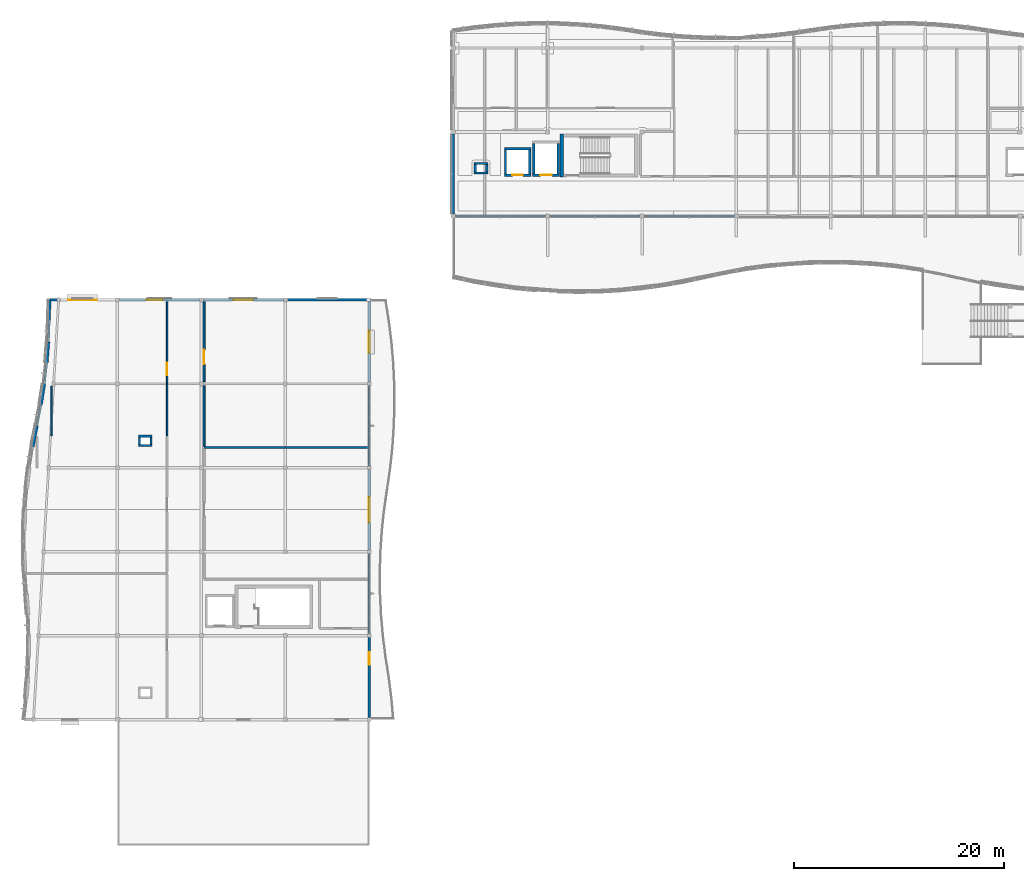
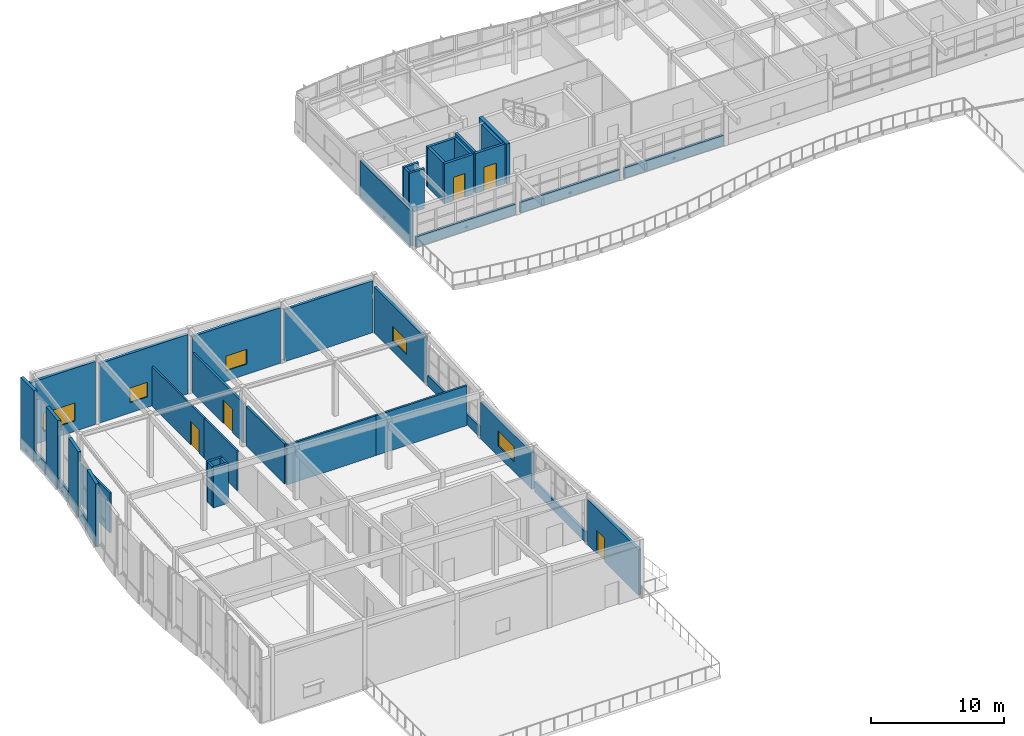
# One storey, part 29 of 52: 43 walls, 5 doors, 5 windows, 10 openings.
"""IFC4 building model written with IfcOpenShell, lengths in metres."""

from ifc_helpers import new_model, si_unit, direction, frame, frame_2d, origin, place, context, subcontext, project, spatial, rectangle, extrude, material, layer, layer_set, type_object, element, fill, save


model = new_model("IFC4")

# Units and contexts
model_context = context("Model", 3, precision=1e-05, world=origin(), true_north=direction((0.0, 1.0)))
body_context = subcontext(model_context, "Body", "Model", "MODEL_VIEW")
ifc_project = project(units=[si_unit("LENGTHUNIT", "METRE"), si_unit("AREAUNIT", "SQUARE_METRE"), si_unit("VOLUMEUNIT", "CUBIC_METRE"), si_unit("PLANEANGLEUNIT", "RADIAN"), si_unit("MASSUNIT", "GRAM", prefix="KILO")], contexts=[model_context])

# Site, building, storey
site_placement = place(None, origin())
site = spatial("IfcSite", under=ifc_project, at=site_placement, CompositionType="ELEMENT")
building_placement = place(site_placement, origin())
building = spatial("IfcBuilding", under=site, at=building_placement, Name="Tonlespit Floodbar School", CompositionType="ELEMENT")
storey_placement = place(building_placement, frame((0.0, 0.0, 12.300048828125)))
storey = spatial("IfcBuildingStorey", under=building, at=storey_placement, Name="L03", CompositionType="ELEMENT", Elevation=12.300048828125)

# Walls
ifc_material_1 = material(Name="Concrete C40/50", Category="concrete")
ifc_layer_1 = layer(ifc_material_1, 0.300048828125)
ifc_layer_set_1 = layer_set([ifc_layer_1], Name="Concrete C40/50")
wall_type_1 = type_object("IfcWallType", Name="CoreWall_RC_300", PredefinedType="SHEAR", material=ifc_layer_set_1)
wall_1_placement = place(storey_placement, frame((54.35009765625, 107.699951171875, 0.0), z_axis=(0.0, 0.0, 1.0), x_axis=(0.0, 1.0, 0.0)))
element("IfcWall", 1, at=wall_1_placement, inside=storey, type_object=wall_type_1, Name="L03 core C1 shear wall NEAR", PredefinedType="SHEAR", context=body_context, shape_type="SweptSolid", body=[
    extrude(rectangle(XDim=4.10009765625, YDim=0.300048828125, at=frame_2d((2.050048828125, 0.0))), origin(), (0.0, 0.0, 1.0), 3.64990234375),
])
ifc_material_2 = material(Name="Precast concrete C40/50", Category="concrete")
ifc_layer_2 = layer(ifc_material_2, 0.239990234375)
ifc_layer_set_2 = layer_set([ifc_layer_2], Name="Precast concrete C40/50")
wall_type_2 = type_object("IfcWallType", Name="ExtWall_Rainscreen_240", PredefinedType="SOLIDWALL", material=ifc_layer_set_2)
wall_2_placement = place(storey_placement, frame((44.0, 104.199951171875, 0.0), z_axis=(0.0, 0.0, 1.0), x_axis=(0.0, 1.0, 0.0)))
element("IfcWall", 2, at=wall_2_placement, inside=storey, type_object=wall_type_2, Name="L03 external wall 0186", PredefinedType="SOLIDWALL", context=body_context, shape_type="SweptSolid", body=[
    extrude(rectangle(XDim=7.60009765625, YDim=0.239990234375, at=frame_2d((3.800048828125, 0.0))), origin(), (0.0, 0.0, 1.0), 3.2900390625),
])

# Wall, opening, window
wall_3_placement = place(storey_placement, frame((5.514892578125, 96.0, 0.0), z_axis=(0.0, 0.0, 1.0), x_axis=(1.0, 0.0, 0.0)))
wall_3 = element("IfcWall", 3, at=wall_3_placement, inside=storey, type_object=wall_type_2, Name="L03 external wall 0441", PredefinedType="SOLIDWALL", context=body_context, shape_type="SweptSolid", body=[
    extrude(rectangle(XDim=6.30517578125, YDim=0.239990234375, at=frame_2d((3.152587890625, 0.0))), origin(), (0.0, 0.0, 1.0), 5.78515625),
])
opening_1_placement = place(wall_3_placement, frame((1.777587890625, 0.0, 0.949951171875)))
opening_1 = element("IfcOpeningElement", 4, at=opening_1_placement, cuts=wall_3, Name="Opening W-L03-048", PredefinedType="OPENING", context=body_context, shape_type="SweptSolid", body=[
    extrude(rectangle(XDim=2.75, YDim=1.64990234375, at=frame_2d((1.375, 0.824951171875))), frame((0.0, 0.1298828125, 0.0), z_axis=(0.0, -1.0, 0.0), x_axis=(1.0, 0.0, 0.0)), (0.0, 0.0, 1.0), 0.260009765625),
])
ifc_material_3 = material(Name="Tempered Double Glazing", Category="glass")
window_type_1 = type_object("IfcWindowType", Name="Win_Mod_2750x1650", PartitioningType="DOUBLE_PANEL_VERTICAL", PredefinedType="WINDOW", material=ifc_material_3)
window_1_placement = place(opening_1_placement, origin())
window_1 = element("IfcWindow", 5, at=window_1_placement, inside=storey, type_object=window_type_1, Name="L03 window W-L03-048", OverallHeight=1.64990234375, OverallWidth=2.75, PartitioningType="DOUBLE_PANEL_VERTICAL", PredefinedType="WINDOW", context=body_context, shape_type="SweptSolid", body=[
    extrude(rectangle(XDim=2.75, YDim=1.64990234375, at=frame_2d((1.375, 0.824951171875))), frame((0.0, 0.030029296875, 0.0), z_axis=(0.0, -1.0, 0.0), x_axis=(1.0, 0.0, 0.0)), (0.0, 0.0, 1.0), 0.06005859375),
])
fill(opening_1, window_1)

wall_4_placement = place(storey_placement, frame((12.179931640625, 96.0, 0.0), z_axis=(0.0, 0.0, 1.0), x_axis=(1.0, 0.0, 0.0)))
wall_4 = element("IfcWall", 6, at=wall_4_placement, inside=storey, type_object=wall_type_2, Name="L03 external wall 0442", PredefinedType="SOLIDWALL", context=body_context, shape_type="SweptSolid", body=[
    extrude(rectangle(XDim=7.64013671875, YDim=0.239990234375, at=frame_2d((3.820068359375, 0.0))), origin(), (0.0, 0.0, 1.0), 5.44384765625),
])
opening_2_placement = place(wall_4_placement, frame((2.6201171875, 0.0, 0.949951171875)))
opening_2 = element("IfcOpeningElement", 7, at=opening_2_placement, cuts=wall_4, Name="Opening W-L03-049", PredefinedType="OPENING", context=body_context, shape_type="SweptSolid", body=[
    extrude(rectangle(XDim=1.5, YDim=1.35009765625, at=frame_2d((0.75, 0.675048828125))), frame((0.0, 0.1298828125, 0.0), z_axis=(0.0, -1.0, 0.0), x_axis=(1.0, 0.0, 0.0)), (0.0, 0.0, 1.0), 0.260009765625),
])
window_type_2 = type_object("IfcWindowType", Name="Win_Mod_1500x1350", PartitioningType="SINGLE_PANEL", PredefinedType="WINDOW", material=ifc_material_3)
window_2_placement = place(opening_2_placement, origin())
window_2 = element("IfcWindow", 8, at=window_2_placement, inside=storey, type_object=window_type_2, Name="L03 window W-L03-049", OverallHeight=1.35009765625, OverallWidth=1.5, PartitioningType="SINGLE_PANEL", PredefinedType="WINDOW", context=body_context, shape_type="SweptSolid", body=[
    extrude(rectangle(XDim=1.5, YDim=1.35009765625, at=frame_2d((0.75, 0.675048828125))), frame((0.0, 0.030029296875, 0.0), z_axis=(0.0, -1.0, 0.0), x_axis=(1.0, 0.0, 0.0)), (0.0, 0.0, 1.0), 0.06005859375),
])
fill(opening_2, window_2)

wall_5_placement = place(storey_placement, frame((20.179931640625, 96.0, 0.0), z_axis=(0.0, 0.0, 1.0), x_axis=(1.0, 0.0, 0.0)))
wall_5 = element("IfcWall", 9, at=wall_5_placement, inside=storey, type_object=wall_type_2, Name="L03 external wall 0443", PredefinedType="SOLIDWALL", context=body_context, shape_type="SweptSolid", body=[
    extrude(rectangle(XDim=7.64013671875, YDim=0.239990234375, at=frame_2d((3.820068359375, 0.0))), origin(), (0.0, 0.0, 1.0), 5.1025390625),
])
opening_3_placement = place(wall_5_placement, frame((2.919921875, 0.0, 0.949951171875)))
opening_3 = element("IfcOpeningElement", 10, at=opening_3_placement, cuts=wall_5, Name="Opening W-L03-050", PredefinedType="OPENING", context=body_context, shape_type="SweptSolid", body=[
    extrude(rectangle(XDim=1.800048828125, YDim=1.35009765625, at=frame_2d((0.89990234375, 0.675048828125))), frame((0.0, 0.1298828125, 0.0), z_axis=(0.0, -1.0, 0.0), x_axis=(1.0, 0.0, 0.0)), (0.0, 0.0, 1.0), 0.260009765625),
])
window_type_3 = type_object("IfcWindowType", Name="Win_Mod_1800x1350", PartitioningType="DOUBLE_PANEL_VERTICAL", PredefinedType="WINDOW", material=ifc_material_3)
window_3_placement = place(opening_3_placement, origin())
window_3 = element("IfcWindow", 11, at=window_3_placement, inside=storey, type_object=window_type_3, Name="L03 window W-L03-050", OverallHeight=1.35009765625, OverallWidth=1.800048828125, PartitioningType="DOUBLE_PANEL_VERTICAL", PredefinedType="WINDOW", context=body_context, shape_type="SweptSolid", body=[
    extrude(rectangle(XDim=1.800048828125, YDim=1.35009765625, at=frame_2d((0.89990234375, 0.675048828125))), frame((0.0, 0.030029296875, 0.0), z_axis=(0.0, -1.0, 0.0), x_axis=(1.0, 0.0, 0.0)), (0.0, 0.0, 1.0), 0.06005859375),
])
fill(opening_3, window_3)

# Wall
wall_6_placement = place(storey_placement, frame((28.179931640625, 96.0, 0.0), z_axis=(0.0, 0.0, 1.0), x_axis=(1.0, 0.0, 0.0)))
element("IfcWall", 12, at=wall_6_placement, inside=storey, type_object=wall_type_2, Name="L03 external wall 0444", PredefinedType="SOLIDWALL", context=body_context, shape_type="SweptSolid", body=[
    extrude(rectangle(XDim=7.64013671875, YDim=0.239990234375, at=frame_2d((3.820068359375, 0.0))), origin(), (0.0, 0.0, 1.0), 4.761474609375),
])

# Wall, opening, window
wall_7_placement = place(storey_placement, frame((36.0, 95.820068359375, 0.0), z_axis=(0.0, 0.0, 1.0), x_axis=(0.0, -1.0, 0.0)))
wall_7 = element("IfcWall", 13, at=wall_7_placement, inside=storey, type_object=wall_type_2, Name="L03 external wall 0445", PredefinedType="SOLIDWALL", context=body_context, shape_type="SweptSolid", body=[
    extrude(rectangle(XDim=7.64013671875, YDim=0.239990234375, at=frame_2d((3.820068359375, 0.0))), origin(), (0.0, 0.0, 1.0), 4.217041015625),
])
opening_4_placement = place(wall_7_placement, frame((2.77001953125, 0.0, 0.949951171875)))
opening_4 = element("IfcOpeningElement", 14, at=opening_4_placement, cuts=wall_7, Name="Opening W-L03-051", PredefinedType="OPENING", context=body_context, shape_type="SweptSolid", body=[
    extrude(rectangle(XDim=2.10009765625, YDim=1.35009765625, at=frame_2d((1.050048828125, 0.675048828125))), frame((0.0, 0.1298828125, 0.0), z_axis=(0.0, -1.0, 0.0), x_axis=(1.0, 0.0, 0.0)), (0.0, 0.0, 1.0), 0.260009765625),
])
window_type_4 = type_object("IfcWindowType", Name="Win_Mod_2100x1350", PartitioningType="DOUBLE_PANEL_VERTICAL", PredefinedType="WINDOW", material=ifc_material_3)
window_4_placement = place(opening_4_placement, origin())
window_4 = element("IfcWindow", 15, at=window_4_placement, inside=storey, type_object=window_type_4, Name="L03 window W-L03-051", OverallHeight=1.35009765625, OverallWidth=2.10009765625, PartitioningType="DOUBLE_PANEL_VERTICAL", PredefinedType="WINDOW", context=body_context, shape_type="SweptSolid", body=[
    extrude(rectangle(XDim=2.10009765625, YDim=1.35009765625, at=frame_2d((1.050048828125, 0.675048828125))), frame((0.0, 0.030029296875, 0.0), z_axis=(0.0, -1.0, 0.0), x_axis=(1.0, 0.0, 0.0)), (0.0, 0.0, 1.0), 0.06005859375),
])
fill(opening_4, window_4)

wall_8_placement = place(storey_placement, frame((36.0, 79.820068359375, 0.0), z_axis=(0.0, 0.0, 1.0), x_axis=(0.0, -1.0, 0.0)))
wall_8 = element("IfcWall", 16, at=wall_8_placement, inside=storey, type_object=wall_type_2, Name="L03 external wall 0447", PredefinedType="SOLIDWALL", context=body_context, shape_type="SweptSolid", body=[
    extrude(rectangle(XDim=7.64013671875, YDim=0.239990234375, at=frame_2d((3.820068359375, 0.0))), origin(), (0.0, 0.0, 1.0), 3.38134765625),
])
opening_5_placement = place(wall_8_placement, frame((2.6201171875, 0.0, 0.949951171875)))
opening_5 = element("IfcOpeningElement", 17, at=opening_5_placement, cuts=wall_8, Name="Opening W-L03-052", PredefinedType="OPENING", context=body_context, shape_type="SweptSolid", body=[
    extrude(rectangle(XDim=2.39990234375, YDim=1.35009765625, at=frame_2d((1.199951171875, 0.675048828125))), frame((0.0, 0.1298828125, 0.0), z_axis=(0.0, -1.0, 0.0), x_axis=(1.0, 0.0, 0.0)), (0.0, 0.0, 1.0), 0.260009765625),
])
window_type_5 = type_object("IfcWindowType", Name="Win_Mod_2400x1350", PartitioningType="DOUBLE_PANEL_VERTICAL", PredefinedType="WINDOW", material=ifc_material_3)
window_5_placement = place(opening_5_placement, origin())
window_5 = element("IfcWindow", 18, at=window_5_placement, inside=storey, type_object=window_type_5, Name="L03 window W-L03-052", OverallHeight=1.35009765625, OverallWidth=2.39990234375, PartitioningType="DOUBLE_PANEL_VERTICAL", PredefinedType="WINDOW", context=body_context, shape_type="SweptSolid", body=[
    extrude(rectangle(XDim=2.39990234375, YDim=1.35009765625, at=frame_2d((1.199951171875, 0.675048828125))), frame((0.0, 0.030029296875, 0.0), z_axis=(0.0, -1.0, 0.0), x_axis=(1.0, 0.0, 0.0)), (0.0, 0.0, 1.0), 0.06005859375),
])
fill(opening_5, window_5)

# Wall, opening, door
wall_9_placement = place(storey_placement, frame((36.0, 63.820068359375, 0.0), z_axis=(0.0, 0.0, 1.0), x_axis=(0.0, -1.0, 0.0)))
wall_9 = element("IfcWall", 19, at=wall_9_placement, inside=storey, type_object=wall_type_2, Name="L03 external wall 0449", PredefinedType="SOLIDWALL", context=body_context, shape_type="SweptSolid", body=[
    extrude(rectangle(XDim=7.64013671875, YDim=0.239990234375, at=frame_2d((3.820068359375, 0.0))), origin(), (0.0, 0.0, 1.0), 4.187255859375),
])
opening_6_placement = place(wall_9_placement, frame((1.39990234375, 0.0, 0.0)))
opening_6 = element("IfcOpeningElement", 20, at=opening_6_placement, cuts=wall_9, Name="Opening D-TR-019", PredefinedType="OPENING", context=body_context, shape_type="SweptSolid", body=[
    extrude(rectangle(XDim=1.199951171875, YDim=2.14990234375, at=frame_2d((0.60009765625, 1.074951171875))), frame((0.0, 0.1298828125, 0.0), z_axis=(0.0, -1.0, 0.0), x_axis=(1.0, 0.0, 0.0)), (0.0, 0.0, 1.0), 0.260009765625),
])
ifc_material_4 = material(Name="Anodised Aluminium", Category="aluminium")
door_type_1 = type_object("IfcDoorType", Name="ExtDoor_Terrace_1200x2150", OperationType="NOTDEFINED", PredefinedType="DOOR", material=ifc_material_4)
door_1_placement = place(opening_6_placement, origin())
door_1 = element("IfcDoor", 21, at=door_1_placement, inside=storey, type_object=door_type_1, Name="L03 exterior door D-TR-019", OperationType="SINGLE_SWING_LEFT", OverallHeight=2.14990234375, OverallWidth=1.199951171875, PredefinedType="DOOR", context=body_context, shape_type="SweptSolid", body=[
    extrude(rectangle(XDim=1.199951171875, YDim=2.14990234375, at=frame_2d((0.60009765625, 1.074951171875))), frame((0.0, 0.02490234375, 0.0), z_axis=(0.0, -1.0, 0.0), x_axis=(1.0, 0.0, 0.0)), (0.0, 0.0, 1.0), 0.050048828125),
])
fill(opening_6, door_1)

# Walls
ifc_layer_3 = layer(ifc_material_2, 0.260009765625)
ifc_layer_set_3 = layer_set([ifc_layer_3], Name="Precast concrete C40/50")
wall_type_3 = type_object("IfcWallType", Name="ExtWall_Rainscreen_260", PredefinedType="SOLIDWALL", material=ifc_layer_set_3)
wall_10_placement = place(storey_placement, frame((3.938232421875, 82.0, 0.0), z_axis=(0.0, 0.0, 1.0), x_axis=(0.192267434085, 0.981342566992, 0.0)))
element("IfcWall", 22, at=wall_10_placement, inside=storey, type_object=wall_type_3, Name="L03 external wall 0434", PredefinedType="SOLIDWALL", context=body_context, shape_type="SweptSolid", body=[
    extrude(rectangle(XDim=2.0380859375, YDim=0.260009765625, at=frame_2d((1.01904296875, 0.0))), origin(), (0.0, 0.0, 1.0), 5.750244140625),
])
wall_11_placement = place(storey_placement, frame((4.7216796875, 86.0, 0.0), z_axis=(0.0, 0.0, 1.0), x_axis=(0.15473004848, 0.987956786554, 0.0)))
element("IfcWall", 23, at=wall_11_placement, inside=storey, type_object=wall_type_3, Name="L03 external wall 0436", PredefinedType="SOLIDWALL", context=body_context, shape_type="SweptSolid", body=[
    extrude(rectangle(XDim=2.0244140625, YDim=0.260009765625, at=frame_2d((1.01220703125, 0.0))), origin(), (0.0, 0.0, 1.0), 5.991455078125),
])
wall_12_placement = place(storey_placement, frame((5.2705078125, 90.0, 0.0), z_axis=(0.0, 0.0, 1.0), x_axis=(0.079097106354, 0.996866915775, 0.0)))
element("IfcWall", 24, at=wall_12_placement, inside=storey, type_object=wall_type_3, Name="L03 external wall 0438", PredefinedType="SOLIDWALL", context=body_context, shape_type="SweptSolid", body=[
    extrude(rectangle(XDim=2.00634765625, YDim=0.260009765625, at=frame_2d((1.003173828125, 0.0))), origin(), (0.0, 0.0, 1.0), 6.242431640625),
])
wall_13_placement = place(storey_placement, frame((5.510498046875, 94.0, 0.0), z_axis=(0.0, 0.0, 1.0), x_axis=(0.002197260321, 0.999997586021, 0.0)))
element("IfcWall", 25, at=wall_13_placement, inside=storey, type_object=wall_type_3, Name="L03 external wall 0440", PredefinedType="SOLIDWALL", context=body_context, shape_type="SweptSolid", body=[
    extrude(rectangle(XDim=2.0, YDim=0.260009765625, at=frame_2d((1.0, 0.0))), origin(), (0.0, 0.0, 1.0), 6.5068359375),
])
ifc_material_5 = material(Name="White Architectural Precast concrete C40/50", Category="concrete")
ifc_layer_4 = layer(ifc_material_5, 0.18505859375)
ifc_layer_set_4 = layer_set([ifc_layer_4], Name="White Architectural Precast concrete C40/50")
wall_type_4 = type_object("IfcWallType", Name="ExtWall_Spandrel_White_185", PredefinedType="SOLIDWALL", material=ifc_layer_set_4)
for number, where, z_axis, x_axis, name in (
    (26, (36.0, 87.820068359375, 0.0), (0.0, 0.0, 1.0), (0.0, -1.0, 0.0), "L03 spandrel wall 0446"),
    (27, (36.0, 71.820068359375, 0.0), (0.0, 0.0, 1.0), (0.0, -1.0, 0.0), "L03 spandrel wall 0448"),
):
    element("IfcWall", number, at=place(storey_placement, frame(where, z_axis=z_axis, x_axis=x_axis)), inside=storey, type_object=wall_type_4, Name=name, PredefinedType="SOLIDWALL", context=body_context, shape_type="SweptSolid", body=[
        extrude(rectangle(XDim=7.64013671875, YDim=0.18505859375, at=frame_2d((3.820068359375, 0.0))), origin(), (0.0, 0.0, 1.0), 0.949951171875),
    ])
ifc_layer_5 = layer(ifc_material_5, 0.199951171875)
ifc_layer_set_5 = layer_set([ifc_layer_5], Name="White Architectural Precast concrete C40/50")
wall_type_5 = type_object("IfcWallType", Name="ExtWall_Spandrel_White_200", PredefinedType="SOLIDWALL", material=ifc_layer_set_5)
for number, where, z_axis, x_axis, name in (
    (28, (70.800048828125, 104.0, 0.0), (0.0, 0.0, 1.0), (-1.0, 0.0, 0.0), "L03 spandrel wall 0183"),
    (29, (61.800048828125, 104.0, 0.0), (0.0, 0.0, 1.0), (-1.0, 0.0, 0.0), "L03 spandrel wall 0184"),
    (30, (52.800048828125, 104.0, 0.0), (0.0, 0.0, 1.0), (-1.0, 0.0, 0.0), "L03 spandrel wall 0185"),
):
    element("IfcWall", number, at=place(storey_placement, frame(where, z_axis=z_axis, x_axis=x_axis)), inside=storey, type_object=wall_type_5, Name=name, PredefinedType="SOLIDWALL", context=body_context, shape_type="SweptSolid", body=[
        extrude(rectangle(XDim=8.60009765625, YDim=0.199951171875, at=frame_2d((4.300048828125, 0.0))), origin(), (0.0, 0.0, 1.0), 0.949951171875),
    ])
wall_14_placement = place(storey_placement, frame((4.330078125, 84.0, 0.0), z_axis=(0.0, 0.0, 1.0), x_axis=(0.192152065658, 0.981365163262, 0.0)))
element("IfcWall", 31, at=wall_14_placement, inside=storey, type_object=wall_type_5, Name="L03 spandrel wall 0435", PredefinedType="SOLIDWALL", context=body_context, shape_type="SweptSolid", body=[
    extrude(rectangle(XDim=2.0380859375, YDim=0.199951171875, at=frame_2d((1.01904296875, 0.0))), origin(), (0.0, 0.0, 1.0), 0.949951171875),
])
wall_15_placement = place(storey_placement, frame((5.034912109375, 88.0, 0.0), z_axis=(0.0, 0.0, 1.0), x_axis=(0.116988959085, 0.99313321536, 0.0)))
element("IfcWall", 32, at=wall_15_placement, inside=storey, type_object=wall_type_5, Name="L03 spandrel wall 0437", PredefinedType="SOLIDWALL", context=body_context, shape_type="SweptSolid", body=[
    extrude(rectangle(XDim=2.013916015625, YDim=0.199951171875, at=frame_2d((1.0068359375, 0.0))), origin(), (0.0, 0.0, 1.0), 0.949951171875),
])
wall_16_placement = place(storey_placement, frame((5.42919921875, 92.0, 0.0), z_axis=(0.0, 0.0, 1.0), x_axis=(0.04061587159, 0.999174835039, 0.0)))
element("IfcWall", 33, at=wall_16_placement, inside=storey, type_object=wall_type_5, Name="L03 spandrel wall 0439", PredefinedType="SOLIDWALL", context=body_context, shape_type="SweptSolid", body=[
    extrude(rectangle(XDim=2.001708984375, YDim=0.199951171875, at=frame_2d((1.0009765625, 0.0))), origin(), (0.0, 0.0, 1.0), 0.949951171875),
])
ifc_layer_6 = layer(ifc_material_1, 0.199951171875)
ifc_layer_set_6 = layer_set([ifc_layer_6], Name="Concrete C40/50")
wall_type_6 = type_object("IfcWallType", Name="FireWall_Plant_200", PredefinedType="PARTITIONING", material=ifc_layer_set_6)
for number, where, z_axis, x_axis, name in (
    (34, (47.300048828125, 108.10009765625, 0.0), (0.0, 0.0, 1.0), (-1.0, 0.0, 0.0), "L03 service riser 01 wall S"),
    (35, (46.0, 109.0, 0.0), (0.0, 0.0, 1.0), (1.0, 0.0, 0.0), "L03 service riser 01 wall N"),
):
    element("IfcWall", number, at=place(storey_placement, frame(where, z_axis=z_axis, x_axis=x_axis)), inside=storey, type_object=wall_type_6, Name=name, PredefinedType="PARTITIONING", context=body_context, shape_type="SweptSolid", body=[
        extrude(rectangle(XDim=1.300048828125, YDim=0.199951171875, at=frame_2d((0.64990234375, 0.0))), origin(), (0.0, 0.0, 1.0), 3.64990234375),
    ])
wall_17_placement = place(storey_placement, frame((46.10009765625, 108.199951171875, 0.0), z_axis=(0.0, 0.0, 1.0), x_axis=(0.0, 1.0, 0.0)))
element("IfcWall", 36, at=wall_17_placement, inside=storey, type_object=wall_type_6, Name="L03 service riser 01 wall W", PredefinedType="PARTITIONING", context=body_context, shape_type="SweptSolid", body=[
    extrude(rectangle(XDim=0.699951171875, YDim=0.199951171875, at=frame_2d((0.35009765625, 0.0))), origin(), (0.0, 0.0, 1.0), 3.64990234375),
])
wall_18_placement = place(storey_placement, frame((47.199951171875, 108.89990234375, 0.0), z_axis=(0.0, 0.0, 1.0), x_axis=(0.0, -1.0, 0.0)))
element("IfcWall", 37, at=wall_18_placement, inside=storey, type_object=wall_type_6, Name="L03 service riser 01 wall E", PredefinedType="PARTITIONING", context=body_context, shape_type="SweptSolid", body=[
    extrude(rectangle(XDim=0.699951171875, YDim=0.199951171875, at=frame_2d((0.35009765625, 0.0))), origin(), (0.0, 0.0, 1.0), 3.248046875),
])
for number, where, z_axis, x_axis, name in (
    (38, (15.300048828125, 82.10009765625, 0.0), (0.0, 0.0, 1.0), (-1.0, 0.0, 0.0), "L03 service riser 04 wall S"),
    (39, (14.0, 83.0, 0.0), (0.0, 0.0, 1.0), (1.0, 0.0, 0.0), "L03 service riser 04 wall N"),
):
    element("IfcWall", number, at=place(storey_placement, frame(where, z_axis=z_axis, x_axis=x_axis)), inside=storey, type_object=wall_type_6, Name=name, PredefinedType="PARTITIONING", context=body_context, shape_type="SweptSolid", body=[
        extrude(rectangle(XDim=1.300048828125, YDim=0.199951171875, at=frame_2d((0.64990234375, 0.0))), origin(), (0.0, 0.0, 1.0), 3.64990234375),
    ])
for number, where, z_axis, x_axis, name in (
    (40, (14.10009765625, 82.199951171875, 0.0), (0.0, 0.0, 1.0), (0.0, 1.0, 0.0), "L03 service riser 04 wall W"),
    (41, (15.199951171875, 82.89990234375, 0.0), (0.0, 0.0, 1.0), (0.0, -1.0, 0.0), "L03 service riser 04 wall E"),
):
    element("IfcWall", number, at=place(storey_placement, frame(where, z_axis=z_axis, x_axis=x_axis)), inside=storey, type_object=wall_type_6, Name=name, PredefinedType="PARTITIONING", context=body_context, shape_type="SweptSolid", body=[
        extrude(rectangle(XDim=0.699951171875, YDim=0.199951171875, at=frame_2d((0.35009765625, 0.0))), origin(), (0.0, 0.0, 1.0), 3.64990234375),
    ])
ifc_material_6 = material(Name="Gypsum Plasterboard Partition")
ifc_layer_7 = layer(ifc_material_6, 0.14990234375)
ifc_layer_set_7 = layer_set([ifc_layer_7], Name="Gypsum Plasterboard Partition")
wall_type_7 = type_object("IfcWallType", Name="Partition_Gyp_150", PredefinedType="PARTITIONING", material=ifc_layer_set_7)
wall_19_placement = place(storey_placement, frame((5.72802734375, 83.070068359375, 0.0), z_axis=(0.0, 0.0, 1.0), x_axis=(0.0, 1.0, 0.0)))
element("IfcWall", 42, at=wall_19_placement, inside=storey, type_object=wall_type_7, Name="L03 partition wall 0260", PredefinedType="PARTITIONING", context=body_context, shape_type="SweptSolid", body=[
    extrude(rectangle(XDim=4.704833984375, YDim=0.14990234375, at=frame_2d((2.3525390625, 0.0))), origin(), (0.0, 0.0, 1.0), 3.64990234375),
])
wall_20_placement = place(storey_placement, frame((16.72998046875, 83.070068359375, 0.0), z_axis=(0.0, 0.0, 1.0), x_axis=(0.0, 1.0, 0.0)))
element("IfcWall", 43, at=wall_20_placement, inside=storey, type_object=wall_type_7, Name="L03 partition wall 0261", PredefinedType="PARTITIONING", context=body_context, shape_type="SweptSolid", body=[
    extrude(rectangle(XDim=4.929931640625, YDim=0.14990234375, at=frame_2d((2.46484375, 0.0))), origin(), (0.0, 0.0, 1.0), 3.64990234375),
])

# Wall, opening, door
wall_21_placement = place(storey_placement, frame((16.72998046875, 88.0, 0.0), z_axis=(0.0, 0.0, 1.0), x_axis=(0.0, 1.0, 0.0)))
wall_21 = element("IfcWall", 44, at=wall_21_placement, inside=storey, type_object=wall_type_7, Name="L03 partition wall 0262", PredefinedType="PARTITIONING", context=body_context, shape_type="SweptSolid", body=[
    extrude(rectangle(XDim=7.837890625, YDim=0.14990234375, at=frame_2d((3.9189453125, 0.0))), origin(), (0.0, 0.0, 1.0), 3.64990234375),
])
opening_7_placement = place(wall_21_placement, frame((0.7900390625, 0.0, 0.0)))
opening_7 = element("IfcOpeningElement", 45, at=opening_7_placement, cuts=wall_21, Name="Opening D-L03-076", PredefinedType="OPENING", context=body_context, shape_type="SweptSolid", body=[
    extrude(rectangle(XDim=1.219970703125, YDim=2.14990234375, at=frame_2d((0.60986328125, 1.074951171875))), frame((0.0, 0.0849609375, 0.0), z_axis=(0.0, -1.0, 0.0), x_axis=(1.0, 0.0, 0.0)), (0.0, 0.0, 1.0), 0.169921875),
])
ifc_material_7 = material(Name="Hardwood Timber", Category="wood")
door_type_2 = type_object("IfcDoorType", Name="IntDoor_1220x2150", OperationType="NOTDEFINED", PredefinedType="DOOR", material=ifc_material_7)
door_2_placement = place(opening_7_placement, origin())
door_2 = element("IfcDoor", 46, at=door_2_placement, inside=storey, type_object=door_type_2, Name="L03 interior door D-L03-076", OperationType="SINGLE_SWING_LEFT", OverallHeight=2.14990234375, OverallWidth=1.219970703125, PredefinedType="DOOR", context=body_context, shape_type="SweptSolid", body=[
    extrude(rectangle(XDim=1.219970703125, YDim=2.14990234375, at=frame_2d((0.60986328125, 1.074951171875))), frame((0.0, 0.02490234375, 0.0), z_axis=(0.0, -1.0, 0.0), x_axis=(1.0, 0.0, 0.0)), (0.0, 0.0, 1.0), 0.050048828125),
])
fill(opening_7, door_2)

# Walls
ifc_layer_8 = layer(ifc_material_6, 0.169921875)
ifc_layer_set_8 = layer_set([ifc_layer_8], Name="Gypsum Plasterboard Partition")
wall_type_8 = type_object("IfcWallType", Name="Partition_Gyp_170", PredefinedType="PARTITIONING", material=ifc_layer_set_8)
wall_22_placement = place(storey_placement, frame((20.27001953125, 81.929931640625, 0.0), z_axis=(0.0, 0.0, 1.0), x_axis=(1.0, 0.0, 0.0)))
element("IfcWall", 47, at=wall_22_placement, inside=storey, type_object=wall_type_8, Name="L03 partition wall 0265", PredefinedType="PARTITIONING", context=body_context, shape_type="SweptSolid", body=[
    extrude(rectangle(XDim=7.72998046875, YDim=0.169921875, at=frame_2d((3.864990234375, 0.0))), origin(), (0.0, 0.0, 1.0), 3.64990234375),
])
wall_23_placement = place(storey_placement, frame((28.0, 81.929931640625, 0.0), z_axis=(0.0, 0.0, 1.0), x_axis=(1.0, 0.0, 0.0)))
element("IfcWall", 48, at=wall_23_placement, inside=storey, type_object=wall_type_8, Name="L03 partition wall 0266", PredefinedType="PARTITIONING", context=body_context, shape_type="SweptSolid", body=[
    extrude(rectangle(XDim=7.865478515625, YDim=0.169921875, at=frame_2d((3.9326171875, 0.0))), origin(), (0.0, 0.0, 1.0), 3.64990234375),
])
ifc_layer_9 = layer(ifc_material_6, 0.18505859375)
ifc_layer_set_9 = layer_set([ifc_layer_9], Name="Gypsum Plasterboard Partition")
wall_type_9 = type_object("IfcWallType", Name="Partition_Gyp_185", PredefinedType="PARTITIONING", material=ifc_layer_set_9)
wall_24_placement = place(storey_placement, frame((20.27001953125, 82.070068359375, 0.0), z_axis=(0.0, 0.0, 1.0), x_axis=(0.0, 1.0, 0.0)))
element("IfcWall", 49, at=wall_24_placement, inside=storey, type_object=wall_type_9, Name="L03 partition wall 0270", PredefinedType="PARTITIONING", context=body_context, shape_type="SweptSolid", body=[
    extrude(rectangle(XDim=5.73486328125, YDim=0.18505859375, at=frame_2d((2.867431640625, 0.0))), origin(), (0.0, 0.0, 1.0), 3.64990234375),
])

# Wall, opening, door
wall_25_placement = place(storey_placement, frame((20.27001953125, 88.195068359375, 0.0), z_axis=(0.0, 0.0, 1.0), x_axis=(0.0, 1.0, 0.0)))
wall_25 = element("IfcWall", 50, at=wall_25_placement, inside=storey, type_object=wall_type_9, Name="L03 partition wall 0271", PredefinedType="PARTITIONING", context=body_context, shape_type="SweptSolid", body=[
    extrude(rectangle(XDim=7.642822265625, YDim=0.18505859375, at=frame_2d((3.8212890625, 0.0))), origin(), (0.0, 0.0, 1.0), 3.64990234375),
])
opening_8_placement = place(wall_25_placement, frame((1.675048828125, 0.0, 0.0)))
opening_8 = element("IfcOpeningElement", 51, at=opening_8_placement, cuts=wall_25, Name="Opening D-L03-078", PredefinedType="OPENING", context=body_context, shape_type="SweptSolid", body=[
    extrude(rectangle(XDim=1.360107421875, YDim=2.14990234375, at=frame_2d((0.68017578125, 1.074951171875))), frame((0.0, 0.1025390625, 0.0), z_axis=(0.0, -1.0, 0.0), x_axis=(1.0, 0.0, 0.0)), (0.0, 0.0, 1.0), 0.205078125),
])
door_type_3 = type_object("IfcDoorType", Name="IntDoor_1360x2150", OperationType="NOTDEFINED", PredefinedType="DOOR", material=ifc_material_7)
door_3_placement = place(opening_8_placement, origin())
door_3 = element("IfcDoor", 52, at=door_3_placement, inside=storey, type_object=door_type_3, Name="L03 interior door D-L03-078", OperationType="SINGLE_SWING_LEFT", OverallHeight=2.14990234375, OverallWidth=1.360107421875, PredefinedType="DOOR", context=body_context, shape_type="SweptSolid", body=[
    extrude(rectangle(XDim=1.360107421875, YDim=2.14990234375, at=frame_2d((0.68017578125, 1.074951171875))), frame((0.0, 0.02490234375, 0.0), z_axis=(0.0, -1.0, 0.0), x_axis=(1.0, 0.0, 0.0)), (0.0, 0.0, 1.0), 0.050048828125),
])
fill(opening_8, door_3)

ifc_layer_10 = layer(ifc_material_1, 0.219970703125)
ifc_layer_set_10 = layer_set([ifc_layer_10], Name="Concrete C40/50")
wall_type_10 = type_object("IfcWallType", Name="ShaftWall_RC_220", PredefinedType="SHEAR", material=ifc_layer_set_10)
wall_26_placement = place(storey_placement, frame((54.1201171875, 107.889892578125, 0.0), z_axis=(0.0, 0.0, 1.0), x_axis=(-1.0, 0.0, 0.0)))
wall_26 = element("IfcWall", 53, at=wall_26_placement, inside=storey, type_object=wall_type_10, Name="L03 lift LF-FF1 shaft wall S", PredefinedType="SHEAR", context=body_context, shape_type="SweptSolid", body=[
    extrude(rectangle(XDim=2.5400390625, YDim=0.219970703125, at=frame_2d((1.27001953125, 0.0))), origin(), (0.0, 0.0, 1.0), 3.64990234375),
])
opening_9_placement = place(wall_26_placement, frame((0.719970703125, 0.0, 0.0)))
opening_9 = element("IfcOpeningElement", 54, at=opening_9_placement, cuts=wall_26, Name="Opening LD-LF-FF1-L03", PredefinedType="OPENING", context=body_context, shape_type="SweptSolid", body=[
    extrude(rectangle(XDim=1.10009765625, YDim=2.14990234375, at=frame_2d((0.550048828125, 1.074951171875))), frame((0.0, 0.119873046875, 0.0), z_axis=(0.0, -1.0, 0.0), x_axis=(1.0, 0.0, 0.0)), (0.0, 0.0, 1.0), 0.239990234375),
])
ifc_material_8 = material(Name="Galvanised Steel", Category="steel")
door_type_4 = type_object("IfcDoorType", Name="LiftDoor_FF_1100x2150", OperationType="DOUBLE_DOOR_SLIDING", PredefinedType="DOOR", material=ifc_material_8)
door_4_placement = place(opening_9_placement, origin())
door_4 = element("IfcDoor", 55, at=door_4_placement, inside=storey, type_object=door_type_4, Name="L03 lift LF-FF1 sliding landing door", OperationType="DOUBLE_DOOR_SLIDING", OverallHeight=2.14990234375, OverallWidth=1.10009765625, PredefinedType="DOOR", context=body_context, shape_type="SweptSolid", body=[
    extrude(rectangle(XDim=1.10009765625, YDim=2.14990234375, at=frame_2d((0.550048828125, 1.074951171875))), frame((0.0, 0.02490234375, 0.0), z_axis=(0.0, -1.0, 0.0), x_axis=(1.0, 0.0, 0.0)), (0.0, 0.0, 1.0), 0.050048828125),
])
fill(opening_9, door_4)

# Walls
for number, where, z_axis, x_axis, name in (
    (56, (51.68994140625, 108.0, 0.0), (0.0, 0.0, 1.0), (0.0, 1.0, 0.0), "L03 lift LF-FF1 shaft wall W"),
    (57, (54.010009765625, 110.89990234375, 0.0), (0.0, 0.0, 1.0), (0.0, -1.0, 0.0), "L03 lift LF-FF1 shaft wall E"),
):
    element("IfcWall", number, at=place(storey_placement, frame(where, z_axis=z_axis, x_axis=x_axis)), inside=storey, type_object=wall_type_10, Name=name, PredefinedType="SHEAR", context=body_context, shape_type="SweptSolid", body=[
        extrude(rectangle(XDim=2.89990234375, YDim=0.219970703125, at=frame_2d((1.449951171875, 0.0))), origin(), (0.0, 0.0, 1.0), 3.64990234375),
    ])

# Wall, opening, door
wall_27_placement = place(storey_placement, frame((51.419921875, 107.889892578125, 0.0), z_axis=(0.0, 0.0, 1.0), x_axis=(-1.0, 0.0, 0.0)))
wall_27 = element("IfcWall", 58, at=wall_27_placement, inside=storey, type_object=wall_type_10, Name="L03 lift LP-1 shaft wall S", PredefinedType="SHEAR", context=body_context, shape_type="SweptSolid", body=[
    extrude(rectangle(XDim=2.5400390625, YDim=0.219970703125, at=frame_2d((1.27001953125, 0.0))), origin(), (0.0, 0.0, 1.0), 3.64990234375),
])
opening_10_placement = place(wall_27_placement, frame((0.77001953125, 0.0, 0.0)))
opening_10 = element("IfcOpeningElement", 59, at=opening_10_placement, cuts=wall_27, Name="Opening LD-LP-1-L03", PredefinedType="OPENING", context=body_context, shape_type="SweptSolid", body=[
    extrude(rectangle(XDim=1.0, YDim=2.14990234375, at=frame_2d((0.5, 1.074951171875))), frame((0.0, 0.119873046875, 0.0), z_axis=(0.0, -1.0, 0.0), x_axis=(1.0, 0.0, 0.0)), (0.0, 0.0, 1.0), 0.239990234375),
])
door_type_5 = type_object("IfcDoorType", Name="LiftDoor_Pass_1000x2150", OperationType="DOUBLE_DOOR_SLIDING", PredefinedType="DOOR", material=ifc_material_4)
door_5_placement = place(opening_10_placement, origin())
door_5 = element("IfcDoor", 60, at=door_5_placement, inside=storey, type_object=door_type_5, Name="L03 lift LP-1 sliding landing door", OperationType="DOUBLE_DOOR_SLIDING", OverallHeight=2.14990234375, OverallWidth=1.0, PredefinedType="DOOR", context=body_context, shape_type="SweptSolid", body=[
    extrude(rectangle(XDim=1.0, YDim=2.14990234375, at=frame_2d((0.5, 1.074951171875))), frame((0.0, 0.02490234375, 0.0), z_axis=(0.0, -1.0, 0.0), x_axis=(1.0, 0.0, 0.0)), (0.0, 0.0, 1.0), 0.050048828125),
])
fill(opening_10, door_5)

# Walls
wall_28_placement = place(storey_placement, frame((48.8798828125, 110.409912109375, 0.0), z_axis=(0.0, 0.0, 1.0), x_axis=(1.0, 0.0, 0.0)))
element("IfcWall", 61, at=wall_28_placement, inside=storey, type_object=wall_type_10, Name="L03 lift LP-1 shaft wall N", PredefinedType="SHEAR", context=body_context, shape_type="SweptSolid", body=[
    extrude(rectangle(XDim=2.5400390625, YDim=0.219970703125, at=frame_2d((1.27001953125, 0.0))), origin(), (0.0, 0.0, 1.0), 3.64990234375),
])
for number, where, z_axis, x_axis, name in (
    (62, (48.989990234375, 108.0, 0.0), (0.0, 0.0, 1.0), (0.0, 1.0, 0.0), "L03 lift LP-1 shaft wall W"),
    (63, (51.31005859375, 110.300048828125, 0.0), (0.0, 0.0, 1.0), (0.0, -1.0, 0.0), "L03 lift LP-1 shaft wall E"),
):
    element("IfcWall", number, at=place(storey_placement, frame(where, z_axis=z_axis, x_axis=x_axis)), inside=storey, type_object=wall_type_10, Name=name, PredefinedType="SHEAR", context=body_context, shape_type="SweptSolid", body=[
        extrude(rectangle(XDim=2.300048828125, YDim=0.219970703125, at=frame_2d((1.14990234375, 0.0))), origin(), (0.0, 0.0, 1.0), 3.64990234375),
    ])

save(model, "model.ifc")
